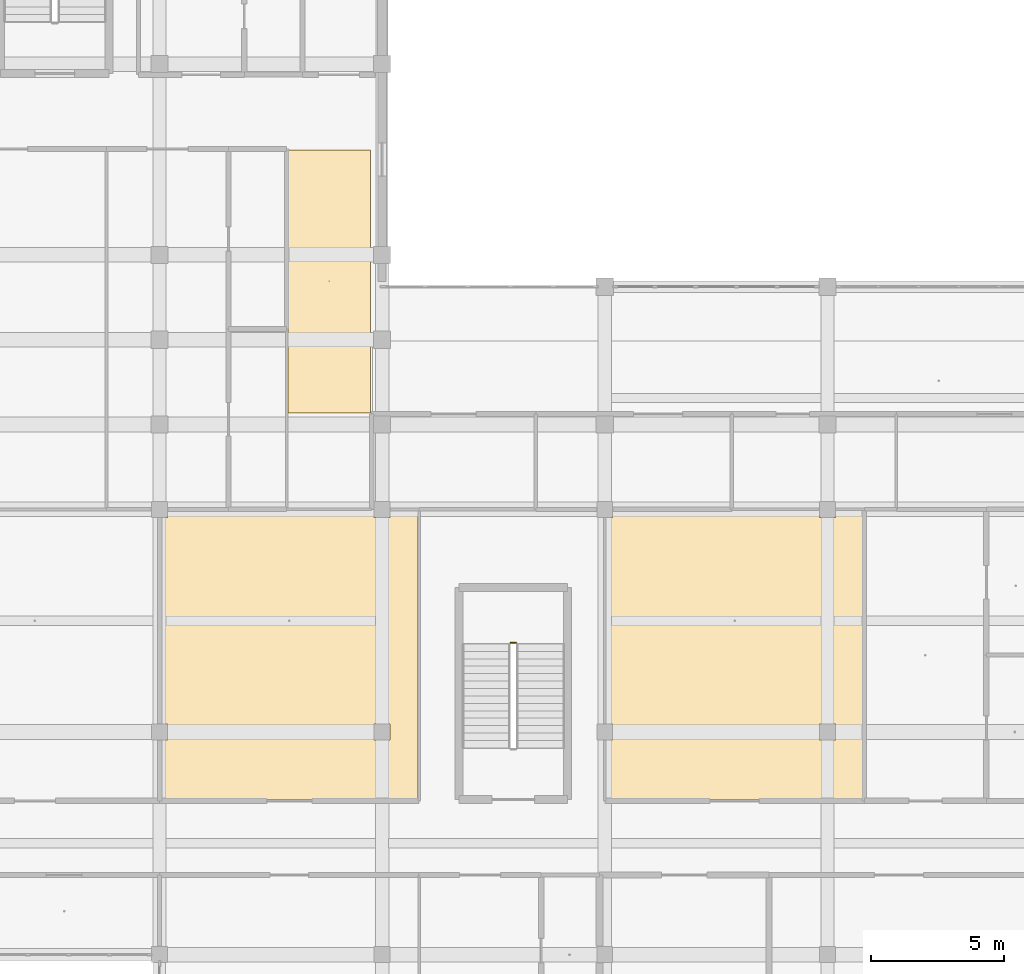
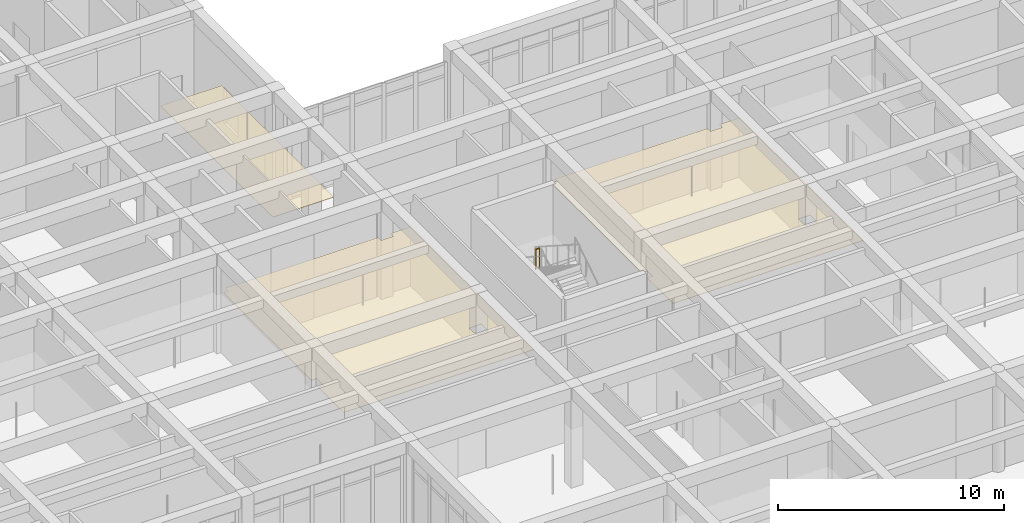
# One storey, part 146 of 157: 3 coverings, 1 railing.
"""IFC4 building model written with IfcOpenShell, lengths in metres."""

from ifc_helpers import new_model, si_unit, direction, frame, origin, origin_2d, place, context, subcontext, project, spatial, polyline, circle, outline, extrude, material, layer, layer_set, type_object, element, save


model = new_model("IFC4")

# Units and contexts
model_context = context("Model", 3, precision=1e-05, world=origin(), true_north=direction((0.0, 1.0)))
body_context = subcontext(model_context, "Body", "Model", "MODEL_VIEW")
ifc_project = project(units=[si_unit("LENGTHUNIT", "METRE"), si_unit("AREAUNIT", "SQUARE_METRE"), si_unit("VOLUMEUNIT", "CUBIC_METRE"), si_unit("PLANEANGLEUNIT", "RADIAN"), si_unit("MASSUNIT", "GRAM", prefix="KILO")], contexts=[model_context])

# Site, building, storey
site_placement = place(None, origin())
site = spatial("IfcSite", under=ifc_project, at=site_placement, CompositionType="ELEMENT")
building_placement = place(site_placement, origin())
building = spatial("IfcBuilding", under=site, at=building_placement, Name="Varncliffe General Hospital", CompositionType="ELEMENT")
storey_placement = place(building_placement, frame((0.0, 0.0, 5.39990234375)))
storey = spatial("IfcBuildingStorey", under=building, at=storey_placement, Name="L01", CompositionType="ELEMENT", Elevation=5.39990234375)

# Coverings
ifc_material_1 = material(Name="Hygienic antimicrobial acoustic suspended ceiling tile", Category="gypsum")
ifc_layer = layer(ifc_material_1, 0.02490234375)
ifc_layer_set = layer_set([ifc_layer], Name="Hygienic antimicrobial acoustic suspended ceiling tile")
covering_type = type_object("IfcCoveringType", Name="Antimicrobial Acoustic Suspended Ceiling CLG44", PredefinedType="CEILING", material=ifc_layer_set)
covering_1_placement = place(storey_placement, frame((0.0, 0.0, 3.175048828125)))
element("IfcCovering", 1, at=covering_1_placement, inside=storey, type_object=covering_type, Name="L01 North Link West Connector L01 Suspended Ceiling", PredefinedType="CEILING", context=body_context, shape_type="SweptSolid", body=[
    extrude(outline(polyline([(66.760009765625, 103.239990234375), (66.760009765625, 113.159912109375), (63.639892578125, 113.159912109375), (63.639892578125, 103.239990234375), (66.760009765625, 103.239990234375)])), origin(), (0.0, 0.0, 1.0), 0.025146484375),
])
covering_2_placement = place(storey_placement, frame((0.0, 0.0, 3.175048828125)))
element("IfcCovering", 2, at=covering_2_placement, inside=storey, type_object=covering_type, Name="L01 Inpatient Hospital Pharmacy Cleanroom 93 Suspended Ceiling", PredefinedType="CEILING", context=body_context, shape_type="SweptSolid", body=[
    extrude(outline(polyline([(68.56005859375, 88.639892578125), (58.840087890625, 88.639892578125), (58.840087890625, 90.89990234375), (59.10009765625, 90.89990234375), (59.10009765625, 91.5), (58.840087890625, 91.5), (58.840087890625, 99.300048828125), (59.10009765625, 99.300048828125), (59.10009765625, 99.56005859375), (66.89990234375, 99.56005859375), (66.89990234375, 99.300048828125), (67.5, 99.300048828125), (67.5, 99.56005859375), (68.56005859375, 99.56005859375), (68.56005859375, 88.639892578125)]), holes=[polyline([(67.5, 90.89990234375), (67.5, 91.5), (66.89990234375, 91.5), (66.89990234375, 90.89990234375), (67.5, 90.89990234375)])]), origin(), (0.0, 0.0, 1.0), 0.025146484375),
])
covering_3_placement = place(storey_placement, frame((0.0, 0.0, 3.175048828125)))
element("IfcCovering", 3, at=covering_3_placement, inside=storey, type_object=covering_type, Name="L01 Inpatient Hospital Pharmacy Cleanroom 94 Suspended Ceiling", PredefinedType="CEILING", context=body_context, shape_type="SweptSolid", body=[
    extrude(outline(polyline([(85.360107421875, 88.639892578125), (75.639892578125, 88.639892578125), (75.639892578125, 90.89990234375), (75.89990234375, 90.89990234375), (75.89990234375, 91.5), (75.639892578125, 91.5), (75.639892578125, 99.300048828125), (75.89990234375, 99.300048828125), (75.89990234375, 99.56005859375), (83.699951171875, 99.56005859375), (83.699951171875, 99.300048828125), (84.300048828125, 99.300048828125), (84.300048828125, 99.56005859375), (85.360107421875, 99.56005859375), (85.360107421875, 88.639892578125)]), holes=[polyline([(84.300048828125, 90.89990234375), (84.300048828125, 91.5), (83.699951171875, 91.5), (83.699951171875, 90.89990234375), (84.300048828125, 90.89990234375)])]), origin(), (0.0, 0.0, 1.0), 0.025146484375),
])

# Railing
ifc_material_2 = material(Name="Powder-coated hospital steel guardrail and handrail", Category="steel")
railing_type = type_object("IfcRailingType", Name="Stairwell Guardrail SG49", PredefinedType="GUARDRAIL", material=ifc_material_2)
railing_placement = place(storey_placement, frame((72.25, 94.570068359375, 2.7001953125)))
element("IfcRailing", 4, at=railing_placement, inside=storey, type_object=railing_type, Name="L01 ST12 stair guard 2", PredefinedType="GUARDRAIL", context=body_context, shape_type="SweptSolid", body=[
    extrude(circle(Radius=0.02392578125, at=origin_2d()), frame((0.0, 0.0, 1.076171875), z_axis=(-1.0, 0.0, 0.0), x_axis=(0.0, -1.0, 0.0)), (0.0, 0.0, 1.0), 0.199951171875),
    extrude(circle(Radius=0.02099609375, at=origin_2d()), origin(), (0.0, 0.0, 1.0), 1.052001953125),
    extrude(circle(Radius=0.02099609375, at=origin_2d()), frame((-0.199951171875, 0.0, 0.0)), (0.0, 0.0, 1.0), 1.052001953125),
])

save(model, "model.ifc")
